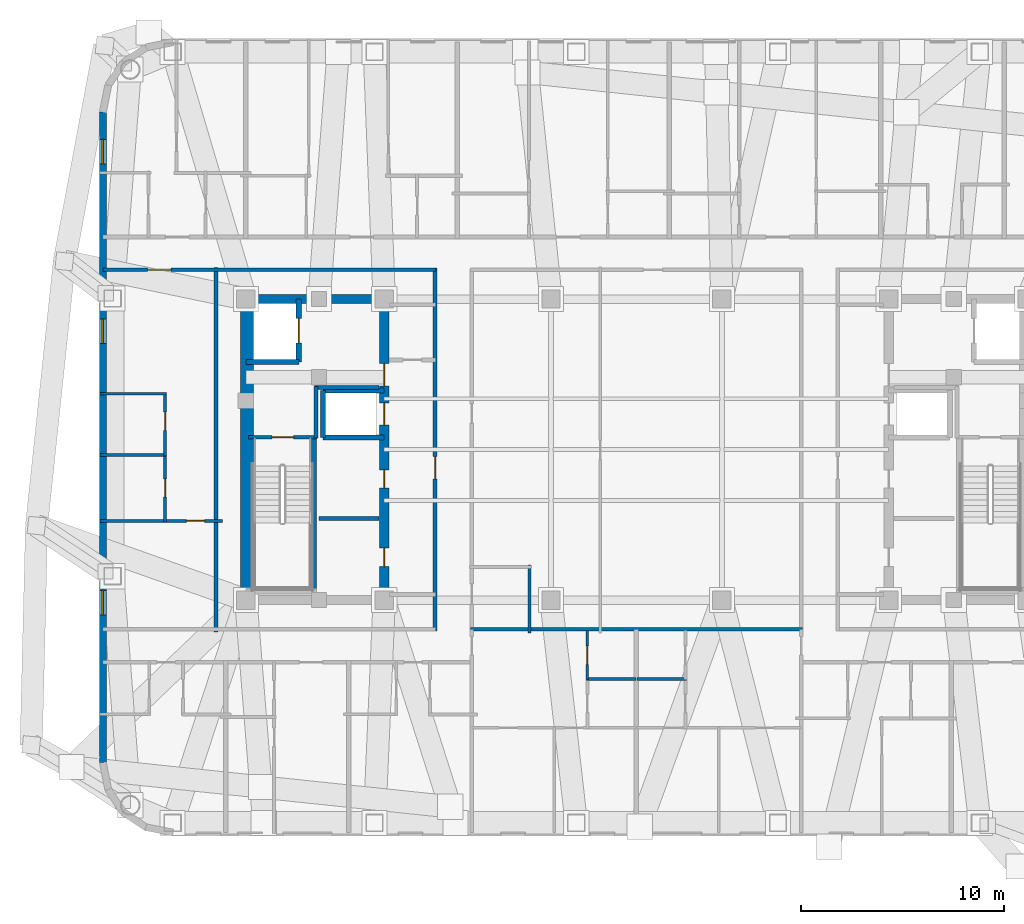
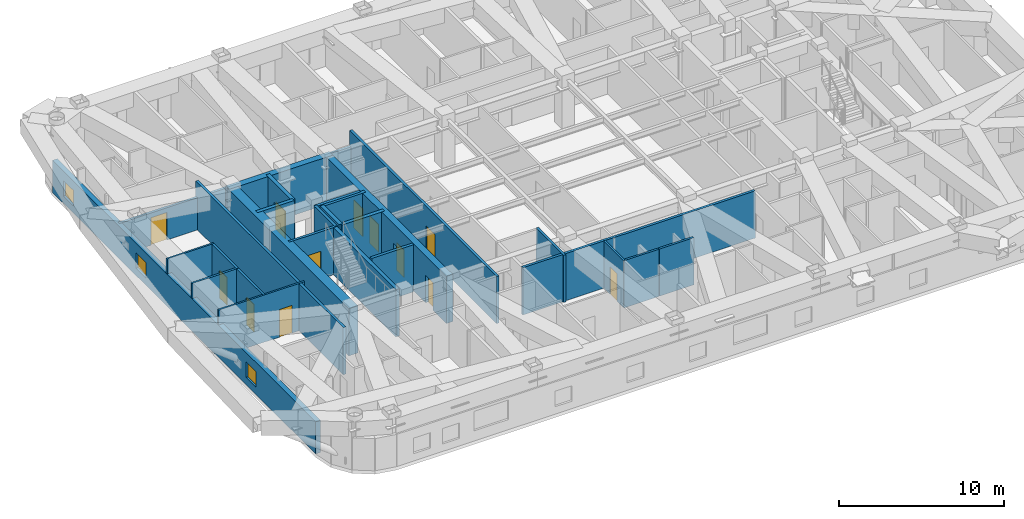
# One storey, part 5 of 12: 27 walls, 12 doors, 3 windows, 15 openings.
"""IFC4 building model written with IfcOpenShell, lengths in metres."""

from ifc_helpers import new_model, si_unit, direction, frame, frame_2d, origin, place, context, subcontext, project, spatial, rectangle, extrude, material, layer, layer_set, type_object, element, fill, save


model = new_model("IFC4")

# Units and contexts
model_context = context("Model", 3, precision=1e-05, world=origin(), true_north=direction((0.0, 1.0)))
body_context = subcontext(model_context, "Body", "Model", "MODEL_VIEW")
ifc_project = project(units=[si_unit("LENGTHUNIT", "METRE"), si_unit("AREAUNIT", "SQUARE_METRE"), si_unit("VOLUMEUNIT", "CUBIC_METRE"), si_unit("PLANEANGLEUNIT", "RADIAN"), si_unit("MASSUNIT", "GRAM", prefix="KILO")], contexts=[model_context])

# Site, building, storey
site_placement = place(None, origin())
site = spatial("IfcSite", under=ifc_project, at=site_placement, CompositionType="ELEMENT")
building_placement = place(site_placement, origin())
building = spatial("IfcBuilding", under=site, at=building_placement, Name="Voryun Gate Residences", CompositionType="ELEMENT")
storey_placement = place(building_placement, frame((0.0, 0.0, 250.89990234375)))
storey = spatial("IfcBuildingStorey", under=building, at=storey_placement, Name="L62", CompositionType="ELEMENT", Elevation=250.89990234375)

# Wall
ifc_material_1 = material(Name="Concrete C50/60", Category="concrete")
ifc_layer_1 = layer(ifc_material_1, 0.449951171875, Name="CW_CORE_450")
ifc_layer_set_1 = layer_set([ifc_layer_1], Name="Concrete C50/60")
wall_type_1 = type_object("IfcWallType", Name="CW_CORE_450", PredefinedType="SHEAR", material=ifc_layer_set_1)
wall_1_placement = place(storey_placement, frame((-19.425048828125, 7.39990234375, 0.0), z_axis=(0.0, 0.0, 1.0), x_axis=(1.0, 0.0, 0.0)))
element("IfcWall", 1, at=wall_1_placement, inside=storey, type_object=wall_type_1, Name="L62 Core shear wall CW-L62-WN", PredefinedType="SHEAR", context=body_context, shape_type="SweptSolid", body=[
    extrude(rectangle(XDim=7.25, YDim=0.449951171875, at=frame_2d((3.625, 0.0))), origin(), (0.0, 0.0, 1.0), 3.5),
])

# Wall, openings, doors
wall_2_placement = place(storey_placement, frame((-12.39990234375, -7.39990234375, 0.0), z_axis=(0.0, 0.0, 1.0), x_axis=(0.0, 1.0, 0.0)))
wall_2 = element("IfcWall", 2, at=wall_2_placement, inside=storey, type_object=wall_type_1, Name="L62 Core shear wall CW-L62-WE", PredefinedType="SHEAR", context=body_context, shape_type="SweptSolid", body=[
    extrude(rectangle(XDim=14.7998046875, YDim=0.449951171875, at=frame_2d((7.39990234375, 0.0))), origin(), (0.0, 0.0, 1.0), 3.5),
])
opening_1_placement = place(wall_2_placement, frame((8.60009765625, 0.0, 0.0)))
opening_1 = element("IfcOpeningElement", 3, at=opening_1_placement, cuts=wall_2, Name="Opening LD2", PredefinedType="OPENING", context=body_context, shape_type="SweptSolid", body=[
    extrude(rectangle(XDim=1.10009765625, YDim=2.050048828125, at=frame_2d((0.550048828125, 1.02490234375))), frame((0.0, 0.235107421875, 0.0), z_axis=(0.0, -1.0, 0.0), x_axis=(1.0, 0.0, 0.0)), (0.0, 0.0, 1.0), 0.469970703125),
])
opening_2_placement = place(wall_2_placement, frame((10.530029296875, 0.0, 0.0)))
opening_2 = element("IfcOpeningElement", 4, at=opening_2_placement, cuts=wall_2, Name="Opening D-FD60-2", PredefinedType="OPENING", context=body_context, shape_type="SweptSolid", body=[
    extrude(rectangle(XDim=1.10009765625, YDim=2.050048828125, at=frame_2d((0.550048828125, 1.02490234375))), frame((0.0, 0.235107421875, 0.0), z_axis=(0.0, -1.0, 0.0), x_axis=(1.0, 0.0, 0.0)), (0.0, 0.0, 1.0), 0.469970703125),
])
opening_3_placement = place(wall_2_placement, frame((1.64990234375, 0.0, 0.0)))
opening_3 = element("IfcOpeningElement", 5, at=opening_3_placement, cuts=wall_2, Name="Opening D-FD60-4", PredefinedType="OPENING", context=body_context, shape_type="SweptSolid", body=[
    extrude(rectangle(XDim=0.89990234375, YDim=2.050048828125, at=frame_2d((0.449951171875, 1.02490234375))), frame((0.0, 0.235107421875, 0.0), z_axis=(0.0, -1.0, 0.0), x_axis=(1.0, 0.0, 0.0)), (0.0, 0.0, 1.0), 0.469970703125),
])
opening_4_placement = place(wall_2_placement, frame((5.5, 0.0, 0.0)))
opening_4 = element("IfcOpeningElement", 6, at=opening_4_placement, cuts=wall_2, Name="Opening D-FD60-4", PredefinedType="OPENING", context=body_context, shape_type="SweptSolid", body=[
    extrude(rectangle(XDim=0.89990234375, YDim=2.050048828125, at=frame_2d((0.449951171875, 1.02490234375))), frame((0.0, 0.235107421875, 0.0), z_axis=(0.0, -1.0, 0.0), x_axis=(1.0, 0.0, 0.0)), (0.0, 0.0, 1.0), 0.469970703125),
])
ifc_material_2 = material(Name="Painted steel fire door", Category="steel")
door_type_1 = type_object("IfcDoorType", Name="DR_FD60_FFLOB_1100", OperationType="NOTDEFINED", PredefinedType="DOOR", material=ifc_material_2)
door_1_placement = place(opening_2_placement, origin())
door_1 = element("IfcDoor", 7, at=door_1_placement, inside=storey, type_object=door_type_1, Name="Door DR-L62-CLOB-W", OperationType="SINGLE_SWING_LEFT", OverallHeight=2.050048828125, OverallWidth=1.10009765625, PredefinedType="DOOR", context=body_context, shape_type="SweptSolid", body=[
    extrude(rectangle(XDim=1.10009765625, YDim=2.050048828125, at=frame_2d((0.550048828125, 1.02490234375))), frame((0.0, 0.02490234375, 0.0), z_axis=(0.0, -1.0, 0.0), x_axis=(1.0, 0.0, 0.0)), (0.0, 0.0, 1.0), 0.050048828125),
])
fill(opening_2, door_1)
ifc_material_3 = material(Name="Painted steel fire door", Category="steel")
door_type_2 = type_object("IfcDoorType", Name="DR_FD60_RISER_900", OperationType="NOTDEFINED", PredefinedType="DOOR", material=ifc_material_3)
door_2_placement = place(opening_3_placement, origin())
door_2 = element("IfcDoor", 8, at=door_2_placement, inside=storey, type_object=door_type_2, Name="Door DR-L62-RECW-HS", OperationType="SINGLE_SWING_LEFT", OverallHeight=2.050048828125, OverallWidth=0.89990234375, PredefinedType="DOOR", context=body_context, shape_type="SweptSolid", body=[
    extrude(rectangle(XDim=0.89990234375, YDim=2.050048828125, at=frame_2d((0.449951171875, 1.02490234375))), frame((0.0, 0.02490234375, 0.0), z_axis=(0.0, -1.0, 0.0), x_axis=(1.0, 0.0, 0.0)), (0.0, 0.0, 1.0), 0.050048828125),
])
fill(opening_3, door_2)
door_3_placement = place(opening_4_placement, origin())
door_3 = element("IfcDoor", 9, at=door_3_placement, inside=storey, type_object=door_type_2, Name="Door DR-L62-RECW-HN", OperationType="SINGLE_SWING_RIGHT", OverallHeight=2.050048828125, OverallWidth=0.89990234375, PredefinedType="DOOR", context=body_context, shape_type="SweptSolid", body=[
    extrude(rectangle(XDim=0.89990234375, YDim=2.050048828125, at=frame_2d((0.449951171875, 1.02490234375))), frame((0.0, 0.02490234375, 0.0), z_axis=(0.0, -1.0, 0.0), x_axis=(1.0, 0.0, 0.0)), (0.0, 0.0, 1.0), 0.050048828125),
])
fill(opening_4, door_3)
ifc_material_4 = material(Name="Anodised aluminium", Category="aluminium")
door_type_3 = type_object("IfcDoorType", Name="DR_LD_PASS_1100", OperationType="NOTDEFINED", PredefinedType="DOOR", material=ifc_material_4)
door_4_placement = place(opening_1_placement, origin())
door_4 = element("IfcDoor", 10, at=door_4_placement, inside=storey, type_object=door_type_3, Name="Lift EL-P7 sliding landing door L62", OperationType="SLIDING_TO_LEFT", OverallHeight=2.050048828125, OverallWidth=1.10009765625, PredefinedType="DOOR", context=body_context, shape_type="SweptSolid", body=[
    extrude(rectangle(XDim=1.10009765625, YDim=2.050048828125, at=frame_2d((0.550048828125, 1.02490234375))), frame((0.0, 0.02490234375, 0.0), z_axis=(0.0, -1.0, 0.0), x_axis=(1.0, 0.0, 0.0)), (0.0, 0.0, 1.0), 0.050048828125),
])
fill(opening_1, door_4)

# Wall
ifc_material_5 = material(Name="Concrete C60/75", Category="concrete")
ifc_layer_2 = layer(ifc_material_5, 0.64990234375, Name="CW_CORE_650")
ifc_layer_set_2 = layer_set([ifc_layer_2], Name="Concrete C60/75")
wall_type_2 = type_object("IfcWallType", Name="CW_CORE_650", PredefinedType="SHEAR", material=ifc_layer_set_2)
wall_3_placement = place(storey_placement, frame((-19.14501953125, -7.39990234375, 0.0), z_axis=(0.0, 0.0, 1.0), x_axis=(0.0, 1.0, 0.0)))
element("IfcWall", 11, at=wall_3_placement, inside=storey, type_object=wall_type_2, Name="L62 Core shear wall CW-L62-WW", PredefinedType="SHEAR", context=body_context, shape_type="SweptSolid", body=[
    extrude(rectangle(XDim=14.7998046875, YDim=0.64990234375, at=frame_2d((7.39990234375, 0.0))), origin(), (0.0, 0.0, 1.0), 3.5),
])

# Wall, opening, door
ifc_material_6 = material(Name="Gypsum acoustic fireboard")
ifc_layer_3 = layer(ifc_material_6, 0.179931640625, Name="W_CORR_RATED_180")
ifc_layer_set_3 = layer_set([ifc_layer_3], Name="Gypsum acoustic fireboard")
wall_type_3 = type_object("IfcWallType", Name="W_CORR_RATED_180", PredefinedType="PARTITIONING", material=ifc_layer_set_3)
wall_4_placement = place(storey_placement, frame((-19.06005859375, 0.60009765625, 0.0), z_axis=(0.0, 0.0, 1.0), x_axis=(1.0, 0.0, 0.0)))
wall_4 = element("IfcWall", 12, at=wall_4_placement, inside=storey, type_object=wall_type_3, Name="Partition wall WP-L62-STV-W", PredefinedType="PARTITIONING", context=body_context, shape_type="SweptSolid", body=[
    extrude(rectangle(XDim=3.360107421875, YDim=0.179931640625, at=frame_2d((1.68017578125, 0.0))), origin(), (0.0, 0.0, 1.0), 3.5),
])
opening_5_placement = place(wall_4_placement, frame((1.155029296875, 0.0, 0.0)))
opening_5 = element("IfcOpeningElement", 13, at=opening_5_placement, cuts=wall_4, Name="Opening D-FD60-1", PredefinedType="OPENING", context=body_context, shape_type="SweptSolid", body=[
    extrude(rectangle(XDim=1.050048828125, YDim=2.050048828125, at=frame_2d((0.52490234375, 1.02490234375))), frame((0.0, 0.099853515625, 0.0), z_axis=(0.0, -1.0, 0.0), x_axis=(1.0, 0.0, 0.0)), (0.0, 0.0, 1.0), 0.199951171875),
])
ifc_material_7 = material(Name="Painted steel fire door", Category="steel")
door_type_4 = type_object("IfcDoorType", Name="DR_FD60_STAIR_1050", OperationType="NOTDEFINED", PredefinedType="DOOR", material=ifc_material_7)
door_5_placement = place(opening_5_placement, origin())
door_5 = element("IfcDoor", 14, at=door_5_placement, inside=storey, type_object=door_type_4, Name="Door DR-L62-ST-W", OperationType="SINGLE_SWING_LEFT", OverallHeight=2.050048828125, OverallWidth=1.050048828125, PredefinedType="DOOR", context=body_context, shape_type="SweptSolid", body=[
    extrude(rectangle(XDim=1.050048828125, YDim=2.050048828125, at=frame_2d((0.52490234375, 1.02490234375))), frame((0.0, 0.02490234375, 0.0), z_axis=(0.0, -1.0, 0.0), x_axis=(1.0, 0.0, 0.0)), (0.0, 0.0, 1.0), 0.050048828125),
])
fill(opening_5, door_5)

wall_5_placement = place(storey_placement, frame((-9.89990234375, -8.929931640625, 0.0), z_axis=(0.0, 0.0, 1.0), x_axis=(0.0, 1.0, 0.0)))
wall_5 = element("IfcWall", 15, at=wall_5_placement, inside=storey, type_object=wall_type_3, Name="Partition wall WP-L62-PLBW-FULL", PredefinedType="PARTITIONING", context=body_context, shape_type="SweptSolid", body=[
    extrude(rectangle(XDim=17.85986328125, YDim=0.179931640625, at=frame_2d((8.929931640625, 0.0))), origin(), (0.0, 0.0, 1.0), 3.5),
])
opening_6_placement = place(wall_5_placement, frame((7.487060546875, 0.0, 0.0)))
opening_6 = element("IfcOpeningElement", 16, at=opening_6_placement, cuts=wall_5, Name="Opening D-FD60-2", PredefinedType="OPENING", context=body_context, shape_type="SweptSolid", body=[
    extrude(rectangle(XDim=1.10009765625, YDim=2.050048828125, at=frame_2d((0.550048828125, 1.02490234375))), frame((0.0, 0.099853515625, 0.0), z_axis=(0.0, -1.0, 0.0), x_axis=(1.0, 0.0, 0.0)), (0.0, 0.0, 1.0), 0.199951171875),
])
door_6_placement = place(opening_6_placement, origin())
door_6 = element("IfcDoor", 17, at=door_6_placement, inside=storey, type_object=door_type_1, Name="Door DR-L62-PLBW-COR", OperationType="SINGLE_SWING_LEFT", OverallHeight=2.050048828125, OverallWidth=1.10009765625, PredefinedType="DOOR", context=body_context, shape_type="SweptSolid", body=[
    extrude(rectangle(XDim=1.10009765625, YDim=2.050048828125, at=frame_2d((0.550048828125, 1.02490234375))), frame((0.0, 0.02490234375, 0.0), z_axis=(0.0, -1.0, 0.0), x_axis=(1.0, 0.0, 0.0)), (0.0, 0.0, 1.0), 0.050048828125),
])
fill(opening_6, door_6)

wall_6_placement = place(storey_placement, frame((-26.22998046875, 8.840087890625, 0.0), z_axis=(0.0, 0.0, 1.0), x_axis=(1.0, 0.0, 0.0)))
wall_6 = element("IfcWall", 18, at=wall_6_placement, inside=storey, type_object=wall_type_3, Name="Partition wall WP-L62-CWING-WN", PredefinedType="PARTITIONING", context=body_context, shape_type="SweptSolid", body=[
    extrude(rectangle(XDim=16.35009765625, YDim=0.179931640625, at=frame_2d((8.175048828125, 0.0))), origin(), (0.0, 0.0, 1.0), 2.39013671875),
])
opening_7_placement = place(wall_6_placement, frame((2.19970703125, 0.0, 0.0)))
opening_7 = element("IfcOpeningElement", 19, at=opening_7_placement, cuts=wall_6, Name="Opening D-UNIT-1", PredefinedType="OPENING", context=body_context, shape_type="SweptSolid", body=[
    extrude(rectangle(XDim=1.14990234375, YDim=2.050048828125, at=frame_2d((0.574951171875, 1.02490234375))), frame((0.0, 0.099853515625, 0.0), z_axis=(0.0, -1.0, 0.0), x_axis=(1.0, 0.0, 0.0)), (0.0, 0.0, 1.0), 0.199951171875),
])
ifc_material_8 = material(Name="Armoured timber-clad fire door", Category="wood")
door_type_5 = type_object("IfcDoorType", Name="DR_UNIT_ENTRY_1150", OperationType="NOTDEFINED", PredefinedType="DOOR", material=ifc_material_8)
door_7_placement = place(opening_7_placement, origin())
door_7 = element("IfcDoor", 20, at=door_7_placement, inside=storey, type_object=door_type_5, Name="Door DR-L62-WE1N", OperationType="SINGLE_SWING_LEFT", OverallHeight=2.050048828125, OverallWidth=1.14990234375, PredefinedType="DOOR", context=body_context, shape_type="SweptSolid", body=[
    extrude(rectangle(XDim=1.14990234375, YDim=2.050048828125, at=frame_2d((0.574951171875, 1.02490234375))), frame((0.0, 0.02490234375, 0.0), z_axis=(0.0, -1.0, 0.0), x_axis=(1.0, 0.0, 0.0)), (0.0, 0.0, 1.0), 0.050048828125),
])
fill(opening_7, door_7)

# Walls
wall_7_placement = place(storey_placement, frame((-8.14990234375, -8.840087890625, 0.0), z_axis=(0.0, 0.0, 1.0), x_axis=(1.0, 0.0, 0.0)))
element("IfcWall", 21, at=wall_7_placement, inside=storey, type_object=wall_type_3, Name="Partition wall WP-L62-Z3S", PredefinedType="PARTITIONING", context=body_context, shape_type="SweptSolid", body=[
    extrude(rectangle(XDim=16.2998046875, YDim=0.179931640625, at=frame_2d((8.14990234375, 0.0))), origin(), (0.0, 0.0, 1.0), 3.5),
])
wall_8_placement = place(storey_placement, frame((-20.669921875, -8.9599609375, 0.0), z_axis=(0.0, 0.0, 1.0), x_axis=(0.0, 1.0, 0.0)))
element("IfcWall", 22, at=wall_8_placement, inside=storey, type_object=wall_type_3, Name="Partition wall WP-L62-WCOR", PredefinedType="PARTITIONING", context=body_context, shape_type="SweptSolid", body=[
    extrude(rectangle(XDim=17.919921875, YDim=0.179931640625, at=frame_2d((8.9599609375, 0.0))), origin(), (0.0, 0.0, 1.0), 3.5),
])

# Wall, openings, windows
ifc_material_9 = material(Name="Charcoal terracotta masonry", Category="masonry")
ifc_layer_4 = layer(ifc_material_9, 0.340087890625, Name="W_EXT_TERRACOTTA_340")
ifc_layer_set_4 = layer_set([ifc_layer_4], Name="Charcoal terracotta masonry")
wall_type_4 = type_object("IfcWallType", Name="W_EXT_TERRACOTTA_340", PredefinedType="ELEMENTEDWALL", material=ifc_layer_set_4)
wall_9_placement = place(storey_placement, frame((-26.22998046875, -15.38330078125, 0.0), z_axis=(0.0, 0.0, 1.0), x_axis=(0.0, 1.0, 0.0)))
wall_9 = element("IfcWall", 23, at=wall_9_placement, inside=storey, type_object=wall_type_4, Name="Exterior wall WEXT-L62-06", PredefinedType="ELEMENTEDWALL", context=body_context, shape_type="SweptSolid", body=[
    extrude(rectangle(XDim=31.966552734375, YDim=0.340087890625, at=frame_2d((15.9833984375, 0.0))), origin(), (0.0, 0.0, 1.0), 2.39013671875),
])
opening_8_placement = place(wall_9_placement, frame((29.431396484375, 0.0, 0.550048828125)))
opening_8 = element("IfcOpeningElement", 24, at=opening_8_placement, cuts=wall_9, Name="Opening WN6", PredefinedType="OPENING", context=body_context, shape_type="SweptSolid", body=[
    extrude(rectangle(XDim=1.199951171875, YDim=1.14990234375, at=frame_2d((0.60009765625, 0.574951171875))), frame((0.0, 0.179931640625, 0.0), z_axis=(0.0, -1.0, 0.0), x_axis=(1.0, 0.0, 0.0)), (0.0, 0.0, 1.0), 0.360107421875),
])
opening_9_placement = place(wall_9_placement, frame((20.603271484375, 0.0, 0.550048828125)))
opening_9 = element("IfcOpeningElement", 25, at=opening_9_placement, cuts=wall_9, Name="Opening WN6", PredefinedType="OPENING", context=body_context, shape_type="SweptSolid", body=[
    extrude(rectangle(XDim=1.199951171875, YDim=1.14990234375, at=frame_2d((0.60009765625, 0.574951171875))), frame((0.0, 0.179931640625, 0.0), z_axis=(0.0, -1.0, 0.0), x_axis=(1.0, 0.0, 0.0)), (0.0, 0.0, 1.0), 0.360107421875),
])
opening_10_placement = place(wall_9_placement, frame((7.25830078125, 0.0, 0.550048828125)))
opening_10 = element("IfcOpeningElement", 26, at=opening_10_placement, cuts=wall_9, Name="Opening WN6", PredefinedType="OPENING", context=body_context, shape_type="SweptSolid", body=[
    extrude(rectangle(XDim=1.199951171875, YDim=1.14990234375, at=frame_2d((0.60009765625, 0.574951171875))), frame((0.0, 0.179931640625, 0.0), z_axis=(0.0, -1.0, 0.0), x_axis=(1.0, 0.0, 0.0)), (0.0, 0.0, 1.0), 0.360107421875),
])
ifc_material_10 = material(Name="Laminated low-E glass", Category="glass")
window_type = type_object("IfcWindowType", Name="WN_POD_SLOT_1200", PartitioningType="SINGLE_PANEL", PredefinedType="WINDOW", material=ifc_material_10)
window_1_placement = place(opening_8_placement, origin())
window_1 = element("IfcWindow", 27, at=window_1_placement, inside=storey, type_object=window_type, Name="Window WN-L62-DWFIX-01", OverallHeight=1.14990234375, OverallWidth=1.199951171875, PartitioningType="SINGLE_PANEL", PredefinedType="WINDOW", context=body_context, shape_type="SweptSolid", body=[
    extrude(rectangle(XDim=1.199951171875, YDim=1.14990234375, at=frame_2d((0.60009765625, 0.574951171875))), frame((0.0, 0.030029296875, 0.0), z_axis=(0.0, -1.0, 0.0), x_axis=(1.0, 0.0, 0.0)), (0.0, 0.0, 1.0), 0.06005859375),
])
fill(opening_8, window_1)
window_2_placement = place(opening_9_placement, origin())
window_2 = element("IfcWindow", 28, at=window_2_placement, inside=storey, type_object=window_type, Name="Window WN-L62-DWFIX-26", OverallHeight=1.14990234375, OverallWidth=1.199951171875, PartitioningType="SINGLE_PANEL", PredefinedType="WINDOW", context=body_context, shape_type="SweptSolid", body=[
    extrude(rectangle(XDim=1.199951171875, YDim=1.14990234375, at=frame_2d((0.60009765625, 0.574951171875))), frame((0.0, 0.030029296875, 0.0), z_axis=(0.0, -1.0, 0.0), x_axis=(1.0, 0.0, 0.0)), (0.0, 0.0, 1.0), 0.06005859375),
])
fill(opening_9, window_2)
window_3_placement = place(opening_10_placement, origin())
window_3 = element("IfcWindow", 29, at=window_3_placement, inside=storey, type_object=window_type, Name="Window WN-L62-DWFIX-27", OverallHeight=1.14990234375, OverallWidth=1.199951171875, PartitioningType="SINGLE_PANEL", PredefinedType="WINDOW", context=body_context, shape_type="SweptSolid", body=[
    extrude(rectangle(XDim=1.199951171875, YDim=1.14990234375, at=frame_2d((0.60009765625, 0.574951171875))), frame((0.0, 0.030029296875, 0.0), z_axis=(0.0, -1.0, 0.0), x_axis=(1.0, 0.0, 0.0)), (0.0, 0.0, 1.0), 0.06005859375),
])
fill(opening_10, window_3)

# Walls
ifc_material_11 = material(Name="Concrete C40/50", Category="concrete")
ifc_layer_5 = layer(ifc_material_11, 0.199951171875, Name="W_FF_LOBBY_200")
ifc_layer_set_5 = layer_set([ifc_layer_5], Name="Concrete C40/50")
wall_type_5 = type_object("IfcWallType", Name="W_FF_LOBBY_200", PredefinedType="PARTITIONING", material=ifc_layer_set_5)
wall_10_placement = place(storey_placement, frame((-15.760009765625, 0.580078125, 0.0), z_axis=(0.0, 0.0, 1.0), x_axis=(0.0, 1.0, 0.0)))
element("IfcWall", 30, at=wall_10_placement, inside=storey, type_object=wall_type_5, Name="Partition wall WP-L62-FFP0-W", PredefinedType="PARTITIONING", context=body_context, shape_type="SweptSolid", body=[
    extrude(rectangle(XDim=2.52001953125, YDim=0.199951171875, at=frame_2d((1.260009765625, 0.0))), origin(), (0.0, 0.0, 1.0), 3.5),
])
wall_11_placement = place(storey_placement, frame((-15.820068359375, 3.06005859375, 0.0), z_axis=(0.0, 0.0, 1.0), x_axis=(1.0, 0.0, 0.0)))
element("IfcWall", 31, at=wall_11_placement, inside=storey, type_object=wall_type_5, Name="Partition wall WP-L62-FFPS-W", PredefinedType="PARTITIONING", context=body_context, shape_type="SweptSolid", body=[
    extrude(rectangle(XDim=3.16015625, YDim=0.199951171875, at=frame_2d((1.580078125, 0.0))), origin(), (0.0, 0.0, 1.0), 3.5),
])
wall_12_placement = place(storey_placement, frame((-15.60009765625, -3.389892578125, 0.0), z_axis=(0.0, 0.0, 1.0), x_axis=(1.0, 0.0, 0.0)))
element("IfcWall", 32, at=wall_12_placement, inside=storey, type_object=wall_type_5, Name="Partition wall WP-L62-RECEY-W", PredefinedType="PARTITIONING", context=body_context, shape_type="SweptSolid", body=[
    extrude(rectangle(XDim=2.940185546875, YDim=0.199951171875, at=frame_2d((1.47021484375, 0.0))), origin(), (0.0, 0.0, 1.0), 3.5),
])
ifc_material_12 = material(Name="Concrete C50/60", Category="concrete")
ifc_layer_6 = layer(ifc_material_12, 0.25, Name="W_SHAFT_RC250")
ifc_layer_set_6 = layer_set([ifc_layer_6], Name="Concrete C50/60")
wall_type_6 = type_object("IfcWallType", Name="W_SHAFT_RC250", PredefinedType="SOLIDWALL", material=ifc_layer_set_6)
wall_13_placement = place(storey_placement, frame((-15.860107421875, -7.0849609375, 0.0), z_axis=(0.0, 0.0, 1.0), x_axis=(0.0, 1.0, 0.0)))
element("IfcWall", 33, at=wall_13_placement, inside=storey, type_object=wall_type_6, Name="L62 Stair shaft structural wall W-STR", PredefinedType="SOLIDWALL", context=body_context, shape_type="SweptSolid", body=[
    extrude(rectangle(XDim=7.68505859375, YDim=0.25, at=frame_2d((3.842529296875, 0.0))), origin(), (0.0, 0.0, 1.0), 3.5),
])
wall_14_placement = place(storey_placement, frame((-19.199951171875, 4.300048828125, 0.0), z_axis=(0.0, 0.0, 1.0), x_axis=(1.0, 0.0, 0.0)))
element("IfcWall", 34, at=wall_14_placement, inside=storey, type_object=wall_type_6, Name="Lift shaft wall WSH-L62-EL-FF-W1-S", PredefinedType="SOLIDWALL", context=body_context, shape_type="SweptSolid", body=[
    extrude(rectangle(XDim=2.599853515625, YDim=0.25, at=frame_2d((1.2998046875, 0.0))), origin(), (0.0, 0.0, 1.0), 3.5),
])

# Wall, opening, door
wall_15_placement = place(storey_placement, frame((-16.60009765625, 4.300048828125, 0.0), z_axis=(0.0, 0.0, 1.0), x_axis=(0.0, 1.0, 0.0)))
wall_15 = element("IfcWall", 35, at=wall_15_placement, inside=storey, type_object=wall_type_6, Name="Lift shaft wall WSH-L62-EL-FF-W1-E", PredefinedType="SOLIDWALL", context=body_context, shape_type="SweptSolid", body=[
    extrude(rectangle(XDim=3.099853515625, YDim=0.25, at=frame_2d((1.5498046875, 0.0))), origin(), (0.0, 0.0, 1.0), 3.5),
])
opening_11_placement = place(wall_15_placement, frame((0.949951171875, 0.0, 0.0)))
opening_11 = element("IfcOpeningElement", 36, at=opening_11_placement, cuts=wall_15, Name="Opening LD1", PredefinedType="OPENING", context=body_context, shape_type="SweptSolid", body=[
    extrude(rectangle(XDim=1.199951171875, YDim=2.050048828125, at=frame_2d((0.60009765625, 1.02490234375))), frame((0.0, 0.135009765625, 0.0), z_axis=(0.0, -1.0, 0.0), x_axis=(1.0, 0.0, 0.0)), (0.0, 0.0, 1.0), 0.27001953125),
])
ifc_material_13 = material(Name="Anodised aluminium", Category="aluminium")
door_type_6 = type_object("IfcDoorType", Name="DR_LD_FF_1200", OperationType="NOTDEFINED", PredefinedType="DOOR", material=ifc_material_13)
door_8_placement = place(opening_11_placement, origin())
door_8 = element("IfcDoor", 37, at=door_8_placement, inside=storey, type_object=door_type_6, Name="Lift EL-FF-W1 sliding landing door L62", OperationType="SLIDING_TO_LEFT", OverallHeight=2.050048828125, OverallWidth=1.199951171875, PredefinedType="DOOR", context=body_context, shape_type="SweptSolid", body=[
    extrude(rectangle(XDim=1.199951171875, YDim=2.050048828125, at=frame_2d((0.60009765625, 1.02490234375))), frame((0.0, 0.02490234375, 0.0), z_axis=(0.0, -1.0, 0.0), x_axis=(1.0, 0.0, 0.0)), (0.0, 0.0, 1.0), 0.050048828125),
])
fill(opening_11, door_8)

# Walls
for number, where, z_axis, x_axis, name in (
    (38, (-15.39990234375, 0.60009765625, 0.0), (0.0, 0.0, 1.0), (1.0, 0.0, 0.0), "Lift shaft wall WSH-L62-EL-P7-S"),
    (39, (-12.39990234375, 2.89990234375, 0.0), (0.0, 0.0, 1.0), (-1.0, 0.0, 0.0), "Lift shaft wall WSH-L62-EL-P7-N"),
):
    element("IfcWall", number, at=place(storey_placement, frame(where, z_axis=z_axis, x_axis=x_axis)), inside=storey, type_object=wall_type_6, Name=name, PredefinedType="SOLIDWALL", context=body_context, shape_type="SweptSolid", body=[
        extrude(rectangle(XDim=3.0, YDim=0.25, at=frame_2d((1.5, 0.0))), origin(), (0.0, 0.0, 1.0), 3.5),
    ])
wall_16_placement = place(storey_placement, frame((-15.39990234375, 2.89990234375, 0.0), z_axis=(0.0, 0.0, 1.0), x_axis=(0.0, -1.0, 0.0)))
element("IfcWall", 40, at=wall_16_placement, inside=storey, type_object=wall_type_6, Name="Lift shaft wall WSH-L62-EL-P7-W", PredefinedType="SOLIDWALL", context=body_context, shape_type="SweptSolid", body=[
    extrude(rectangle(XDim=2.2998046875, YDim=0.25, at=frame_2d((1.14990234375, 0.0))), origin(), (0.0, 0.0, 1.0), 3.5),
])

# Wall, opening, door
ifc_material_14 = material(Name="Gypsum acoustic partition")
ifc_layer_7 = layer(ifc_material_14, 0.125, Name="W_UNIT_PART_125")
ifc_layer_set_7 = layer_set([ifc_layer_7], Name="Gypsum acoustic partition")
wall_type_7 = type_object("IfcWallType", Name="W_UNIT_PART_125", PredefinedType="PARTITIONING", material=ifc_layer_set_7)
wall_17_placement = place(storey_placement, frame((-2.409912109375, -11.31005859375, 0.0), z_axis=(0.0, 0.0, 1.0), x_axis=(0.0, 1.0, 0.0)))
wall_17 = element("IfcWall", 41, at=wall_17_placement, inside=storey, type_object=wall_type_7, Name="Partition wall WP-L62-SC1-VK1", PredefinedType="PARTITIONING", context=body_context, shape_type="SweptSolid", body=[
    extrude(rectangle(XDim=2.41015625, YDim=0.125, at=frame_2d((1.205078125, 0.0))), origin(), (0.0, 0.0, 1.0), 3.5),
])
opening_12_placement = place(wall_17_placement, frame((0.7548828125, 0.0, 0.0)))
opening_12 = element("IfcOpeningElement", 42, at=opening_12_placement, cuts=wall_17, Name="Opening D-INT-2", PredefinedType="OPENING", context=body_context, shape_type="SweptSolid", body=[
    extrude(rectangle(XDim=0.89990234375, YDim=2.050048828125, at=frame_2d((0.449951171875, 1.02490234375))), frame((0.0, 0.072509765625, 0.0), z_axis=(0.0, -1.0, 0.0), x_axis=(1.0, 0.0, 0.0)), (0.0, 0.0, 1.0), 0.14501953125),
])
ifc_material_15 = material(Name="Architectural oak veneer")
door_type_7 = type_object("IfcDoorType", Name="DR_INT_BATH_900", OperationType="NOTDEFINED", PredefinedType="DOOR", material=ifc_material_15)
door_9_placement = place(opening_12_placement, origin())
door_9 = element("IfcDoor", 43, at=door_9_placement, inside=storey, type_object=door_type_7, Name="Door DR-L62-SC1-DK", OperationType="SINGLE_SWING_LEFT", OverallHeight=2.050048828125, OverallWidth=0.89990234375, PredefinedType="DOOR", context=body_context, shape_type="SweptSolid", body=[
    extrude(rectangle(XDim=0.89990234375, YDim=2.050048828125, at=frame_2d((0.449951171875, 1.02490234375))), frame((0.0, 0.02490234375, 0.0), z_axis=(0.0, -1.0, 0.0), x_axis=(1.0, 0.0, 0.0)), (0.0, 0.0, 1.0), 0.050048828125),
])
fill(opening_12, door_9)

# Wall
wall_18_placement = place(storey_placement, frame((-26.3798828125, 2.739990234375, 0.0), z_axis=(0.0, 0.0, 1.0), x_axis=(1.0, 0.0, 0.0)))
element("IfcWall", 44, at=wall_18_placement, inside=storey, type_object=wall_type_7, Name="Partition wall WP-L62-W1-HZ1", PredefinedType="PARTITIONING", context=body_context, shape_type="SweptSolid", body=[
    extrude(rectangle(XDim=3.284912109375, YDim=0.125, at=frame_2d((1.642578125, 0.0))), origin(), (0.0, 0.0, 1.0), 3.5),
])

# Wall, opening, door
wall_19_placement = place(storey_placement, frame((-26.3798828125, -3.510009765625, 0.0), z_axis=(0.0, 0.0, 1.0), x_axis=(1.0, 0.0, 0.0)))
wall_19 = element("IfcWall", 45, at=wall_19_placement, inside=storey, type_object=wall_type_7, Name="Partition wall WP-L62-W1-HZ3", PredefinedType="PARTITIONING", context=body_context, shape_type="SweptSolid", body=[
    extrude(rectangle(XDim=6.02978515625, YDim=0.125, at=frame_2d((3.014892578125, 0.0))), origin(), (0.0, 0.0, 1.0), 3.5),
])
opening_13_placement = place(wall_19_placement, frame((4.25341796875, 0.0, 0.0)))
opening_13 = element("IfcOpeningElement", 46, at=opening_13_placement, cuts=wall_19, Name="Opening D-INT-2", PredefinedType="OPENING", context=body_context, shape_type="SweptSolid", body=[
    extrude(rectangle(XDim=0.89990234375, YDim=2.050048828125, at=frame_2d((0.449951171875, 1.02490234375))), frame((0.0, 0.072509765625, 0.0), z_axis=(0.0, -1.0, 0.0), x_axis=(1.0, 0.0, 0.0)), (0.0, 0.0, 1.0), 0.14501953125),
])
door_10_placement = place(opening_13_placement, origin())
door_10 = element("IfcDoor", 47, at=door_10_placement, inside=storey, type_object=door_type_7, Name="Door DR-L62-W1-DMB", OperationType="SINGLE_SWING_LEFT", OverallHeight=2.050048828125, OverallWidth=0.89990234375, PredefinedType="DOOR", context=body_context, shape_type="SweptSolid", body=[
    extrude(rectangle(XDim=0.89990234375, YDim=2.050048828125, at=frame_2d((0.449951171875, 1.02490234375))), frame((0.0, 0.02490234375, 0.0), z_axis=(0.0, -1.0, 0.0), x_axis=(1.0, 0.0, 0.0)), (0.0, 0.0, 1.0), 0.050048828125),
])
fill(opening_13, door_10)

# Walls
ifc_material_16 = material(Name="Gypsum moisture-resistant partition")
ifc_layer_8 = layer(ifc_material_16, 0.14990234375, Name="W_WET_PLUMB_150")
ifc_layer_set_8 = layer_set([ifc_layer_8], Name="Gypsum moisture-resistant partition")
wall_type_8 = type_object("IfcWallType", Name="W_WET_PLUMB_150", PredefinedType="PLUMBINGWALL", material=ifc_layer_set_8)
wall_20_placement = place(storey_placement, frame((-5.260009765625, -9.02001953125, 0.0), z_axis=(0.0, 0.0, 1.0), x_axis=(0.0, 1.0, 0.0)))
element("IfcWall", 48, at=wall_20_placement, inside=storey, type_object=wall_type_8, Name="Partition wall WP-L62-CMWCX", PredefinedType="PLUMBINGWALL", context=body_context, shape_type="SweptSolid", body=[
    extrude(rectangle(XDim=3.35009765625, YDim=0.14990234375, at=frame_2d((1.675048828125, 0.0))), origin(), (0.0, 0.0, 1.0), 3.5),
])
for number, where, z_axis, x_axis, name in (
    (49, (-2.449951171875, -11.280029296875, 0.0), (0.0, 0.0, 1.0), (1.0, 0.0, 0.0), "Partition wall WP-L62-SC1-HKB"),
    (50, (0.02001953125, -11.280029296875, 0.0), (0.0, 0.0, 1.0), (1.0, 0.0, 0.0), "Partition wall WP-L62-SC2-HKB"),
):
    element("IfcWall", number, at=place(storey_placement, frame(where, z_axis=z_axis, x_axis=x_axis)), inside=storey, type_object=wall_type_8, Name=name, PredefinedType="PLUMBINGWALL", context=body_context, shape_type="SweptSolid", body=[
        extrude(rectangle(XDim=2.429931640625, YDim=0.14990234375, at=frame_2d((1.21484375, 0.0))), origin(), (0.0, 0.0, 1.0), 3.5),
    ])
wall_21_placement = place(storey_placement, frame((-26.3798828125, -0.260009765625, 0.0), z_axis=(0.0, 0.0, 1.0), x_axis=(1.0, 0.0, 0.0)))
element("IfcWall", 51, at=wall_21_placement, inside=storey, type_object=wall_type_8, Name="Partition wall WP-L62-W1-HZ2", PredefinedType="PLUMBINGWALL", context=body_context, shape_type="SweptSolid", body=[
    extrude(rectangle(XDim=3.284912109375, YDim=0.14990234375, at=frame_2d((1.642578125, 0.0))), origin(), (0.0, 0.0, 1.0), 3.5),
])

# Wall, opening, door
wall_22_placement = place(storey_placement, frame((-23.175048828125, -3.550048828125, 0.0), z_axis=(0.0, 0.0, 1.0), x_axis=(0.0, 1.0, 0.0)))
wall_22 = element("IfcWall", 52, at=wall_22_placement, inside=storey, type_object=wall_type_8, Name="Partition wall WP-L62-W1-VKB1", PredefinedType="PLUMBINGWALL", context=body_context, shape_type="SweptSolid", body=[
    extrude(rectangle(XDim=3.330078125, YDim=0.14990234375, at=frame_2d((1.6650390625, 0.0))), origin(), (0.0, 0.0, 1.0), 3.5),
])
opening_14_placement = place(wall_22_placement, frame((1.215087890625, 0.0, 0.0)))
opening_14 = element("IfcOpeningElement", 53, at=opening_14_placement, cuts=wall_22, Name="Opening D-INT-2", PredefinedType="OPENING", context=body_context, shape_type="SweptSolid", body=[
    extrude(rectangle(XDim=0.89990234375, YDim=2.050048828125, at=frame_2d((0.449951171875, 1.02490234375))), frame((0.0, 0.0849609375, 0.0), z_axis=(0.0, -1.0, 0.0), x_axis=(1.0, 0.0, 0.0)), (0.0, 0.0, 1.0), 0.169921875),
])
door_11_placement = place(opening_14_placement, origin())
door_11 = element("IfcDoor", 54, at=door_11_placement, inside=storey, type_object=door_type_7, Name="Door DR-L62-W1-DB", OperationType="SINGLE_SWING_LEFT", OverallHeight=2.050048828125, OverallWidth=0.89990234375, PredefinedType="DOOR", context=body_context, shape_type="SweptSolid", body=[
    extrude(rectangle(XDim=0.89990234375, YDim=2.050048828125, at=frame_2d((0.449951171875, 1.02490234375))), frame((0.0, 0.02490234375, 0.0), z_axis=(0.0, -1.0, 0.0), x_axis=(1.0, 0.0, 0.0)), (0.0, 0.0, 1.0), 0.050048828125),
])
fill(opening_14, door_11)

wall_23_placement = place(storey_placement, frame((-23.175048828125, -0.300048828125, 0.0), z_axis=(0.0, 0.0, 1.0), x_axis=(0.0, 1.0, 0.0)))
wall_23 = element("IfcWall", 55, at=wall_23_placement, inside=storey, type_object=wall_type_8, Name="Partition wall WP-L62-W1-VKB2", PredefinedType="PLUMBINGWALL", context=body_context, shape_type="SweptSolid", body=[
    extrude(rectangle(XDim=3.080078125, YDim=0.14990234375, at=frame_2d((1.5400390625, 0.0))), origin(), (0.0, 0.0, 1.0), 3.5),
])
opening_15_placement = place(wall_23_placement, frame((1.243896484375, 0.0, 0.0)))
opening_15 = element("IfcOpeningElement", 56, at=opening_15_placement, cuts=wall_23, Name="Opening D-INT-2", PredefinedType="OPENING", context=body_context, shape_type="SweptSolid", body=[
    extrude(rectangle(XDim=0.89990234375, YDim=2.050048828125, at=frame_2d((0.449951171875, 1.02490234375))), frame((0.0, 0.0849609375, 0.0), z_axis=(0.0, -1.0, 0.0), x_axis=(1.0, 0.0, 0.0)), (0.0, 0.0, 1.0), 0.169921875),
])
door_12_placement = place(opening_15_placement, origin())
door_12 = element("IfcDoor", 57, at=door_12_placement, inside=storey, type_object=door_type_7, Name="Door DR-L62-W1-DK", OperationType="SINGLE_SWING_RIGHT", OverallHeight=2.050048828125, OverallWidth=0.89990234375, PredefinedType="DOOR", context=body_context, shape_type="SweptSolid", body=[
    extrude(rectangle(XDim=0.89990234375, YDim=2.050048828125, at=frame_2d((0.449951171875, 1.02490234375))), frame((0.0, 0.02490234375, 0.0), z_axis=(0.0, -1.0, 0.0), x_axis=(1.0, 0.0, 0.0)), (0.0, 0.0, 1.0), 0.050048828125),
])
fill(opening_15, door_12)

save(model, "model.ifc")
